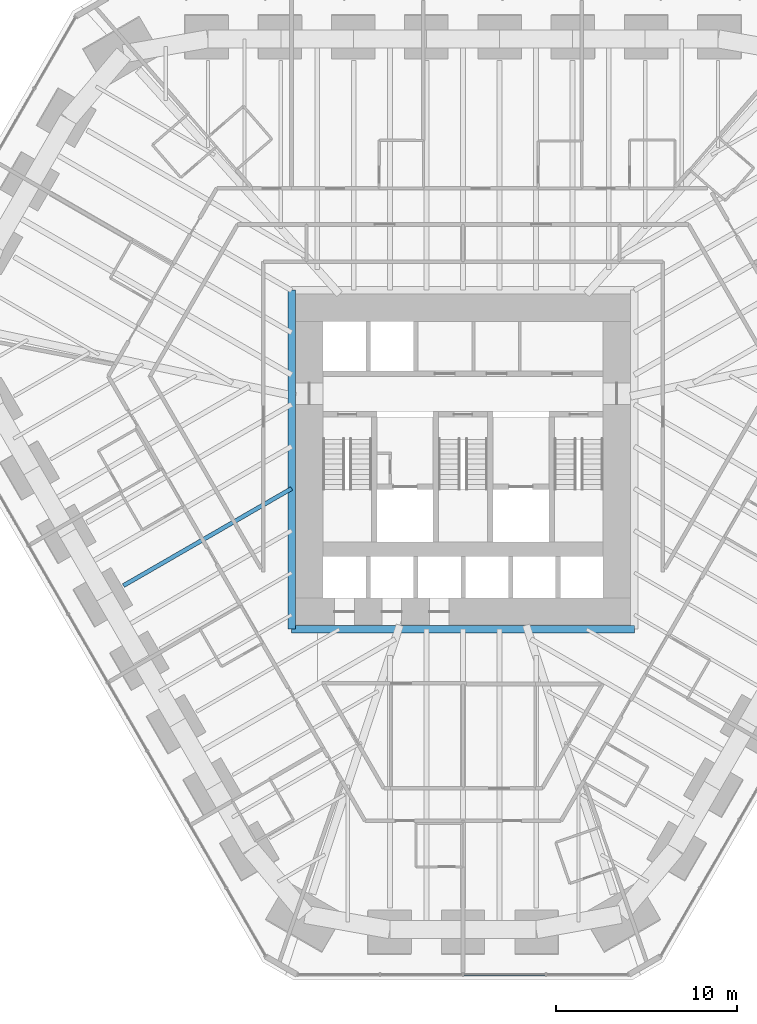
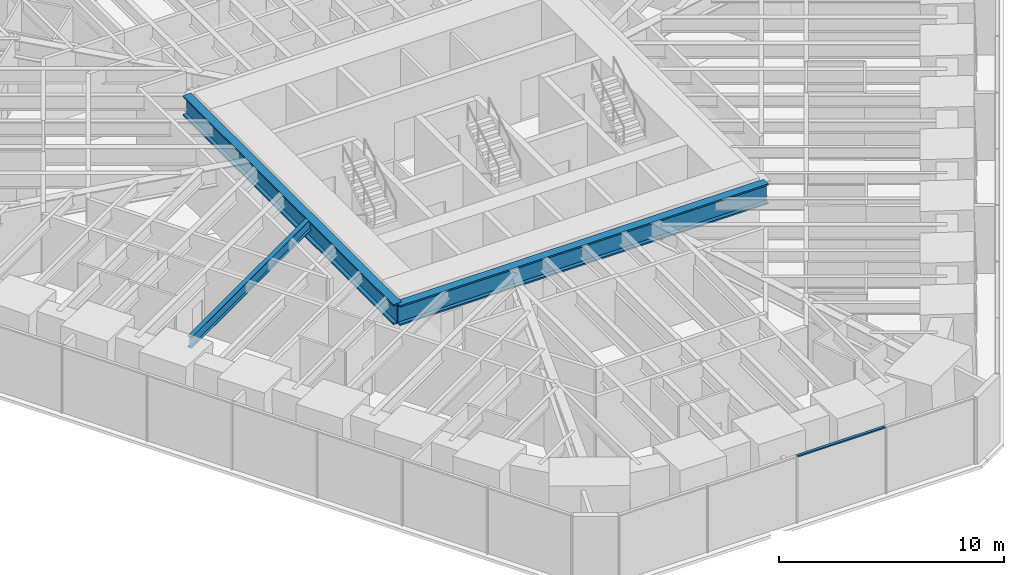
# One storey, part 4 of 17: 3 beams, 1 member, 1 element without a shape of its own.
"""IFC4 building model written with IfcOpenShell, lengths in metres."""

import ifcopenshell
import ifcopenshell.guid

model = None  # the IFC model being written
_history = None  # IfcOwnerHistory: only IFC2X3 demands one
_inside = {}  # id of a spatial element -> (the spatial element, [elements in it])
_under = {}  # id of a project, library or spatial element -> (it, [spatial elements below it])
_declared = {}  # id of a project -> (the project, [libraries it declares])
_typed = {}  # id of a type object -> (the type object, [elements of that type])
_made_of = {}  # id of a material, layer set ... -> (it, [elements and type objects made of it])


def new_model(schema):
    """Start an empty IFC model of exactly this schema.

    Asked for "IFC4X3", IfcOpenShell would pick the latest addendum, in which some entities
    have other attributes; the version numbers below select the first issue.
    IFC2X3 requires an IfcOwnerHistory on every rooted entity: one is made here for all.
    """
    global model, _history
    if schema == "IFC4X3":
        model = ifcopenshell.file(schema_version=(4, 3, 0, 0))
    else:
        model = ifcopenshell.file(schema=schema)
    _inside.clear()
    _under.clear()
    _declared.clear()
    _typed.clear()
    _made_of.clear()
    _history = None
    if model.schema == "IFC2X3":
        org = make("IfcOrganization", Name="unknown")
        user = make(
            "IfcPersonAndOrganization",
            ThePerson=make("IfcPerson", FamilyName="unknown"),
            TheOrganization=org,
        )
        app = make(
            "IfcApplication",
            ApplicationDeveloper=org,
            Version="unknown",
            ApplicationFullName="unknown",
            ApplicationIdentifier="unknown",
        )
        _history = make(
            "IfcOwnerHistory",
            OwningUser=user,
            OwningApplication=app,
            ChangeAction="ADDED",
            CreationDate=0,
        )
    return model


def make(cls, **values):
    """One entity of the class cls with the attributes given. An attribute that is None is left unset."""
    return model.create_entity(
        cls, **{name: value for name, value in values.items() if value is not None}
    )


def rooted(cls, **values):
    """An entity with a GlobalId (a new one), such as an element, a storey or a relation."""
    return make(cls, GlobalId=ifcopenshell.guid.new(), OwnerHistory=_history, **values)


def si_unit(unit_type, name, prefix=None):
    """IfcSIUnit, for example si_unit("LENGTHUNIT", "METRE", prefix="MILLI")."""
    return make("IfcSIUnit", UnitType=unit_type, Prefix=prefix, Name=name)


def assignment(units):
    """IfcUnitAssignment: the units of a project."""
    return None if units is None else make("IfcUnitAssignment", Units=units)


def point(xyz):
    """IfcCartesianPoint."""
    return None if xyz is None else make("IfcCartesianPoint", Coordinates=xyz)


def direction(xyz):
    """IfcDirection."""
    return None if xyz is None else make("IfcDirection", DirectionRatios=xyz)


def frame(location, z_axis=None, x_axis=None):
    """IfcAxis2Placement3D, a coordinate frame: its origin and axes. An axis left out is left unset."""
    return make(
        "IfcAxis2Placement3D",
        Location=point(location),
        Axis=direction(z_axis),
        RefDirection=direction(x_axis),
    )


def frame_2d(location, x_axis=None):
    """IfcAxis2Placement2D, a coordinate frame in the plane: its origin and x axis."""
    return make(
        "IfcAxis2Placement2D", Location=point(location), RefDirection=direction(x_axis)
    )


def origin():
    """The frame at (0, 0, 0) with its axes left unset."""
    return frame((0.0, 0.0, 0.0))


def origin_2d():
    """The frame at (0, 0) in the plane with its x axis left unset."""
    return frame_2d((0.0, 0.0))


def place(relative_to, where):
    """IfcLocalPlacement: puts the frame where relative to a parent placement (None: the world)."""
    return make(
        "IfcLocalPlacement", PlacementRelTo=relative_to, RelativePlacement=where
    )


def context(
    kind, dimensions, precision=None, world=None, true_north=None, identifier=None
):
    """IfcGeometricRepresentationContext, for example the 3D "Model" context."""
    return make(
        "IfcGeometricRepresentationContext",
        ContextIdentifier=identifier,
        ContextType=kind,
        CoordinateSpaceDimension=dimensions,
        Precision=precision,
        WorldCoordinateSystem=world,
        TrueNorth=true_north,
    )


def subcontext(parent, identifier, kind, view, scale=None):
    """IfcGeometricRepresentationSubContext, for example "Body" below "Model"."""
    return make(
        "IfcGeometricRepresentationSubContext",
        ContextIdentifier=identifier,
        ContextType=kind,
        ParentContext=parent,
        TargetScale=scale,
        TargetView=view,
    )


def project(units=None, contexts=None):
    """IfcProject with its units and contexts."""
    return rooted(
        "IfcProject",
        Name="project",
        RepresentationContexts=contexts,
        UnitsInContext=assignment(units),
    )


def spatial(cls, under=None, at=None, **own):
    """A site, building, storey or space (cls), placed at a placement, below another one or the project."""
    s = rooted(cls, ObjectPlacement=at, **own)
    if under is not None:
        _under.setdefault(under.id(), (under, []))[1].append(s)
    return s


def profile(cls, at=None, kind="AREA", **sizes):
    """A parametric profile (cls). Its sizes go by their IFC names, for example OverallWidth=200.0."""
    return make(cls, ProfileType=kind, Position=at, **sizes)


def rectangle(**sizes):
    """IfcRectangleProfileDef."""
    return profile("IfcRectangleProfileDef", **sizes)


def i_section(**sizes):
    """IfcIShapeProfileDef."""
    return profile("IfcIShapeProfileDef", **sizes)


def extrude(swept, where, along, depth):
    """IfcExtrudedAreaSolid: the profile swept, set in the frame where, extruded along a direction by depth."""
    return make(
        "IfcExtrudedAreaSolid",
        SweptArea=swept,
        Position=where,
        ExtrudedDirection=direction(along),
        Depth=depth,
    )


def shape(context_of_items, identifier, shape_type, items):
    """IfcShapeRepresentation: the items that make up one representation, for example the "Body"."""
    return make(
        "IfcShapeRepresentation",
        ContextOfItems=context_of_items,
        RepresentationIdentifier=identifier,
        RepresentationType=shape_type,
        Items=items,
    )


def material(Name=None, Category=None):
    """IfcMaterial."""
    return make("IfcMaterial", Name=Name, Category=Category)


def material_profile(
    of_material, cross_section, Name=None, Category=None, Priority=None
):
    """IfcMaterialProfile: a cross section and its material."""
    return make(
        "IfcMaterialProfile",
        Name=Name,
        Material=of_material,
        Profile=cross_section,
        Priority=Priority,
        Category=Category,
    )


def profile_set(profiles, Name=None, composite=None):
    """IfcMaterialProfileSet."""
    return make(
        "IfcMaterialProfileSet",
        Name=Name,
        MaterialProfiles=profiles,
        CompositeProfile=composite,
    )


def made_of(thing, what):
    """Note that an element or type object is made of a material, layer set ...; save() writes the relation."""
    if what is not None:
        _made_of.setdefault(what.id(), (what, []))[1].append(thing)
    return thing


def type_object(cls, material=None, **own):
    """A type object (cls), such as IfcWallType, which elements share."""
    return made_of(rooted(cls, **own), material)


def element(
    cls,
    number,
    at=None,
    inside=None,
    cuts=None,
    type_object=None,
    material=None,
    context=None,
    identifier="Body",
    shape_type=None,
    held_by="IfcProductDefinitionShape",
    body=None,
    shapes=None,
    **own,
):
    """One element of the class cls, such as IfcWall. Its Tag is "e" and its number.

    at: its placement. inside: the storey or other place that contains it. cuts: it is an
    opening in that element (IfcRelVoidsElement). A single representation is given by context,
    identifier, shape_type and body (its items); several are given by shapes. held_by: the class
    of the entity that holds the representations. save() writes the other relations.
    """
    e = rooted(cls, Tag="e%d" % number, ObjectPlacement=at, **own)
    if body is not None:
        shapes = [shape(context, identifier, shape_type, body)]
    if shapes is not None:
        e.Representation = make(held_by, Representations=shapes)
    if inside is not None:
        _inside.setdefault(inside.id(), (inside, []))[1].append(e)
    if cuts is not None:
        rooted(
            "IfcRelVoidsElement", RelatingBuildingElement=cuts, RelatedOpeningElement=e
        )
    if type_object is not None:
        _typed.setdefault(type_object.id(), (type_object, []))[1].append(e)
    return made_of(e, material)


def aggregate(whole, parts):
    """IfcRelAggregates: a whole, such as a stair, and the parts it consists of."""
    return rooted("IfcRelAggregates", RelatingObject=whole, RelatedObjects=parts)


def save(model, path):
    """Write the relations noted so far, then the file.

    IfcRelAggregates (storeys below a building ...), IfcRelContainedInSpatialStructure (elements
    in a storey), IfcRelDefinesByType, IfcRelAssociatesMaterial and IfcRelDeclares: one each for
    every whole, place, type object, material and project.
    """
    for whole, parts in _under.values():
        aggregate(whole, parts)
    for where, things in _inside.values():
        rooted(
            "IfcRelContainedInSpatialStructure",
            RelatedElements=things,
            RelatingStructure=where,
        )
    for kind, things in _typed.values():
        rooted("IfcRelDefinesByType", RelatedObjects=things, RelatingType=kind)
    for what, things in _made_of.values():
        rooted("IfcRelAssociatesMaterial", RelatedObjects=things, RelatingMaterial=what)
    for by, libraries in _declared.values():
        rooted("IfcRelDeclares", RelatingContext=by, RelatedDefinitions=libraries)
    model.write(path)


model = new_model("IFC4")

# Units and contexts
model_context = context("Model", 3, precision=1e-05, world=origin(), true_north=direction((0.0, 1.0)))
body_context = subcontext(model_context, "Body", "Model", "MODEL_VIEW")
ifc_project = project(units=[si_unit("LENGTHUNIT", "METRE"), si_unit("AREAUNIT", "SQUARE_METRE"), si_unit("VOLUMEUNIT", "CUBIC_METRE"), si_unit("PLANEANGLEUNIT", "RADIAN"), si_unit("MASSUNIT", "GRAM", prefix="KILO")], contexts=[model_context])

# Site, building, storey
site_placement = place(None, origin())
site = spatial("IfcSite", under=ifc_project, at=site_placement, CompositionType="ELEMENT")
building_placement = place(site_placement, origin())
building = spatial("IfcBuilding", under=site, at=building_placement, Name="Sandreach Pilgrim Tower", CompositionType="ELEMENT")
storey_placement = place(building_placement, frame((0.0, 0.0, 80.0)))
storey = spatial("IfcBuildingStorey", under=building, at=storey_placement, Name="L19", CompositionType="ELEMENT", Elevation=80.0)

# Curtain wall, member
ifc_material_1 = material(Name="Aluminium framed curtain wall", Category="aluminium")
curtain_wall_type = type_object("IfcCurtainWallType", Name="Hostel tower curtain wall", PredefinedType="NOTDEFINED", material=ifc_material_1)
curtain_wall_placement = place(storey_placement, origin())
curtain_wall = element("IfcCurtainWall", 1, at=curtain_wall_placement, inside=storey, type_object=curtain_wall_type, Name="CW-1 L19 S", PredefinedType="NOTDEFINED")
ifc_material_2 = material(Name="Aluminium extrusion", Category="aluminium")
ifc_material_profile_1 = material_profile(ifc_material_2, rectangle(XDim=0.139892578125, YDim=0.070068359375, at=origin_2d()), Name="CW-1T 140X70")
ifc_profile_set_1 = profile_set([ifc_material_profile_1], Name="Aluminium extrusion")
member_type = type_object("IfcMemberType", Name="CW-1 transom", PredefinedType="USERDEFINED", material=ifc_profile_set_1)
member_placement = place(storey_placement, frame((4.553466796875, -30.010986328125, 3.60498046875), z_axis=(-1.0, 0.0, 0.0), x_axis=(0.0, -1.0, 0.0)))
member = element("IfcMember", 2, at=member_placement, type_object=member_type, Name="CW-1 head transom 2", ObjectType="TRANSOM", PredefinedType="USERDEFINED", context=body_context, shape_type="SweptSolid", body=[
    extrude(rectangle(XDim=0.139892578125, YDim=0.070068359375, at=origin_2d()), origin(), (0.0, 0.0, 1.0), 4.52099609375),
])
aggregate(curtain_wall, [member])

# Beams
ifc_material_3 = material(Name="Steel ASTM A992 Grade 50", Category="steel")
ifc_material_profile_2 = material_profile(ifc_material_3, i_section(OverallWidth=0.424072265625, OverallDepth=1.09228515625, WebThickness=0.04541015625, FlangeThickness=0.08203125, at=origin_2d()), Name="W40X593")
ifc_profile_set_2 = profile_set([ifc_material_profile_2], Name="Steel ASTM A992 Grade 50")
beam_type_1 = type_object("IfcBeamType", Name="Core edge beam W40X593", PredefinedType="BEAM", material=ifc_profile_set_2)
beam_1_placement = place(storey_placement, frame((9.47216796875, -10.922119140625, 3.093994140625), z_axis=(-1.0, 0.0, 0.0), x_axis=(0.0, -1.0, 0.0)))
element("IfcBeam", 3, at=beam_1_placement, inside=storey, type_object=beam_type_1, Name="BM L19 CES", PredefinedType="BEAM", context=body_context, shape_type="SweptSolid", body=[
    extrude(i_section(OverallWidth=0.424072265625, OverallDepth=1.09228515625, WebThickness=0.04541015625, FlangeThickness=0.08203125, at=origin_2d()), origin(), (0.0, 0.0, 1.0), 18.9443359375),
])
beam_2_placement = place(storey_placement, frame((-9.47216796875, -10.922119140625, 3.093994140625), z_axis=(0.0, 1.0, 0.0), x_axis=(-1.0, 0.0, 0.0)))
element("IfcBeam", 4, at=beam_2_placement, inside=storey, type_object=beam_type_1, Name="BM L19 CEW", PredefinedType="BEAM", context=body_context, shape_type="SweptSolid", body=[
    extrude(i_section(OverallWidth=0.424072265625, OverallDepth=1.09228515625, WebThickness=0.04541015625, FlangeThickness=0.08203125, at=origin_2d()), origin(), (0.0, 0.0, 1.0), 18.744140625),
])
ifc_material_4 = material(Name="Steel ASTM A992 Grade 50", Category="steel")
ifc_material_profile_3 = material_profile(ifc_material_4, i_section(OverallWidth=0.23046875, OverallDepth=0.6171875, WebThickness=0.01318359375, FlangeThickness=0.022216796875, at=origin_2d()), Name="W24X94")
ifc_profile_set_3 = profile_set([ifc_material_profile_3], Name="Steel ASTM A992 Grade 50")
beam_type_2 = type_object("IfcBeamType", Name="Floor beam W24X94", PredefinedType="BEAM", material=ifc_profile_set_3)
beam_3_placement = place(storey_placement, frame((-18.7705078125, -8.51123046875, 3.331298828125), z_axis=(0.8660250331, 0.500000642043, 0.0), x_axis=(-0.500000642043, 0.8660250331, 0.0)))
element("IfcBeam", 5, at=beam_3_placement, inside=storey, type_object=beam_type_2, Name="BM L19 F31", PredefinedType="BEAM", context=body_context, shape_type="SweptSolid", body=[
    extrude(i_section(OverallWidth=0.23046875, OverallDepth=0.6171875, WebThickness=0.01318359375, FlangeThickness=0.022216796875, at=origin_2d()), origin(), (0.0, 0.0, 1.0), 10.73681640625),
])

save(model, "model.ifc")
